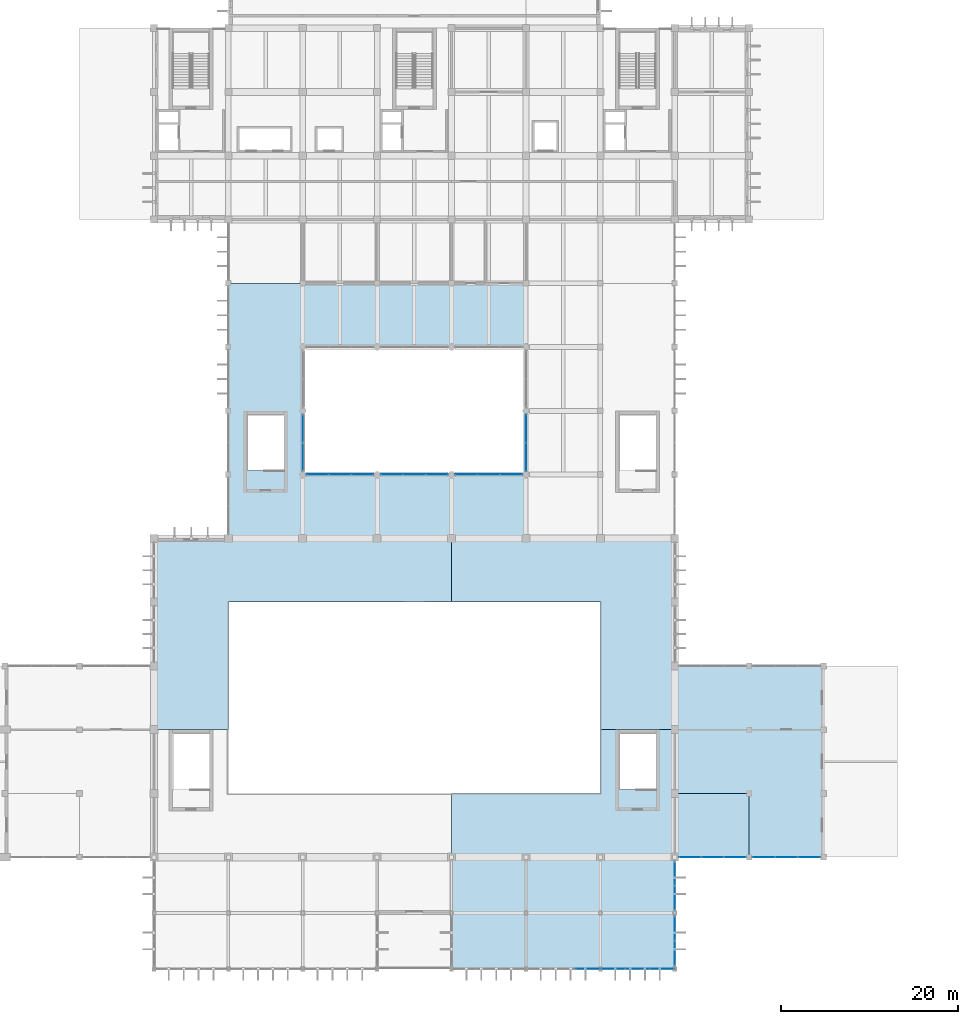
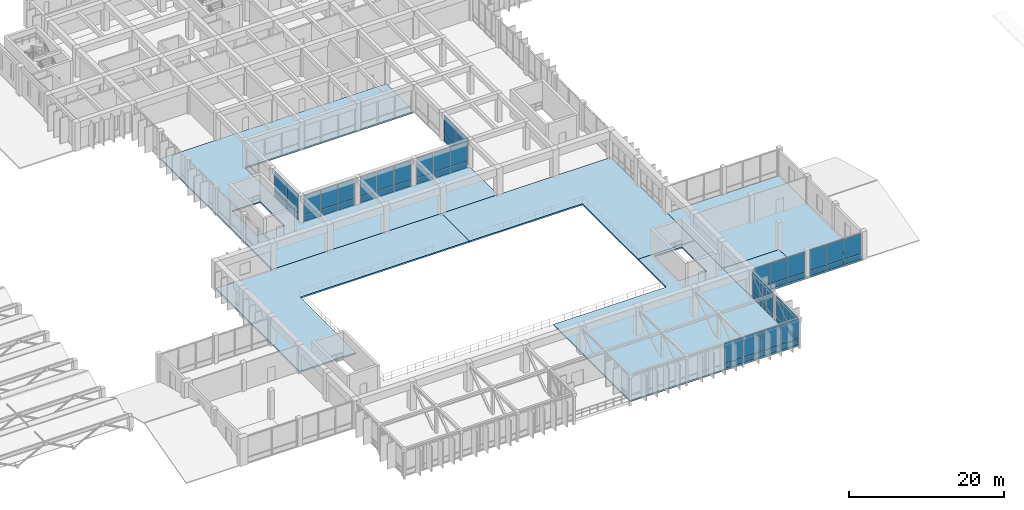
# One storey, part 22 of 40: 54 plates, 6 slabs, 11 elements without a shape of their own.
"""IFC4 building model written with IfcOpenShell, lengths in metres."""

from ifc_helpers import new_model, si_unit, direction, frame, origin, origin_2d, place, context, subcontext, project, spatial, polyline, rectangle, outline, extrude, material, layer, layer_set, type_object, element, aggregate, save


model = new_model("IFC4")

# Units and contexts
model_context = context("Model", 3, precision=1e-05, world=origin(), true_north=direction((0.0, 1.0)))
body_context = subcontext(model_context, "Body", "Model", "MODEL_VIEW")
ifc_project = project(units=[si_unit("LENGTHUNIT", "METRE"), si_unit("AREAUNIT", "SQUARE_METRE"), si_unit("VOLUMEUNIT", "CUBIC_METRE"), si_unit("PLANEANGLEUNIT", "RADIAN"), si_unit("MASSUNIT", "GRAM", prefix="KILO")], contexts=[model_context])

# Site, building, storey
site_placement = place(None, origin())
site = spatial("IfcSite", under=ifc_project, at=site_placement, CompositionType="ELEMENT")
building_placement = place(site_placement, origin())
building = spatial("IfcBuilding", under=site, at=building_placement, Name="Kenerak Square Central Library", CompositionType="ELEMENT")
storey_placement = place(building_placement, frame((0.0, 0.0, 14.39990234375)))
storey = spatial("IfcBuildingStorey", under=building, at=storey_placement, Name="L03", CompositionType="ELEMENT", Elevation=14.39990234375)

# Curtain wall, plates
ifc_material_1 = material(Name="Intumescent fire-resisting glazing EI 60", Category="glass")
curtain_wall_type_1 = type_object("IfcCurtainWallType", Name="Curtain Wall CW-AT60-76x42 7650x4230", PredefinedType="USERDEFINED", material=ifc_material_1)
curtain_wall_1_placement = place(storey_placement, origin())
curtain_wall_1 = element("IfcCurtainWall", 1, at=curtain_wall_1_placement, inside=storey, type_object=curtain_wall_type_1, Name="Atrium Fire-Rated Glazed Screen CW-AT60-76x42 L03 0167", ObjectType="CURTAIN WALL", PredefinedType="USERDEFINED")
ifc_layer_1 = layer(ifc_material_1, 0.0419921875)
ifc_layer_set_1 = layer_set([ifc_layer_1], Name="Intumescent fire-resisting glazing EI 60")
plate_type_1 = type_object("IfcPlateType", Name="Fire-Rated EI60 Atrium Glazing Panel CP-42", PredefinedType="CURTAIN_PANEL", material=ifc_layer_set_1)
plate_1_placement = place(storey_placement, frame((76.867431640625, 60.0, 0.06982421875), z_axis=(0.0, 0.0, 1.0), x_axis=(1.0, 0.0, 0.0)))
plate_1 = element("IfcPlate", 2, at=plate_1_placement, type_object=plate_type_1, Name="CW-AT60-76x42 Panel 1.1", PredefinedType="CURTAIN_PANEL", context=body_context, shape_type="SweptSolid", body=[
    extrude(rectangle(XDim=2.445068359375, YDim=0.0419921875, at=origin_2d()), origin(), (0.0, 0.0, 1.0), 0.945068359375),
])
plate_2_placement = place(storey_placement, frame((76.867431640625, 60.0, 1.0849609375), z_axis=(0.0, 0.0, 1.0), x_axis=(1.0, 0.0, 0.0)))
plate_2 = element("IfcPlate", 3, at=plate_2_placement, type_object=plate_type_1, Name="CW-AT60-76x42 Panel 1.2", PredefinedType="CURTAIN_PANEL", context=body_context, shape_type="SweptSolid", body=[
    extrude(rectangle(XDim=2.445068359375, YDim=0.0419921875, at=origin_2d()), origin(), (0.0, 0.0, 1.0), 3.074951171875),
])
plate_3_placement = place(storey_placement, frame((79.39990234375, 60.0, 0.06982421875), z_axis=(0.0, 0.0, 1.0), x_axis=(1.0, 0.0, 0.0)))
plate_3 = element("IfcPlate", 4, at=plate_3_placement, type_object=plate_type_1, Name="CW-AT60-76x42 Panel 2.1", PredefinedType="CURTAIN_PANEL", context=body_context, shape_type="SweptSolid", body=[
    extrude(rectangle(XDim=2.47998046875, YDim=0.0419921875, at=origin_2d()), origin(), (0.0, 0.0, 1.0), 0.945068359375),
])
plate_4_placement = place(storey_placement, frame((79.39990234375, 60.0, 1.0849609375), z_axis=(0.0, 0.0, 1.0), x_axis=(1.0, 0.0, 0.0)))
plate_4 = element("IfcPlate", 5, at=plate_4_placement, type_object=plate_type_1, Name="CW-AT60-76x42 Panel 2.2", PredefinedType="CURTAIN_PANEL", context=body_context, shape_type="SweptSolid", body=[
    extrude(rectangle(XDim=2.47998046875, YDim=0.0419921875, at=origin_2d()), origin(), (0.0, 0.0, 1.0), 3.074951171875),
])
plate_5_placement = place(storey_placement, frame((81.9326171875, 60.0, 0.06982421875), z_axis=(0.0, 0.0, 1.0), x_axis=(1.0, 0.0, 0.0)))
plate_5 = element("IfcPlate", 6, at=plate_5_placement, type_object=plate_type_1, Name="CW-AT60-76x42 Panel 3.1", PredefinedType="CURTAIN_PANEL", context=body_context, shape_type="SweptSolid", body=[
    extrude(rectangle(XDim=2.445068359375, YDim=0.0419921875, at=origin_2d()), origin(), (0.0, 0.0, 1.0), 0.945068359375),
])
plate_6_placement = place(storey_placement, frame((81.9326171875, 60.0, 1.0849609375), z_axis=(0.0, 0.0, 1.0), x_axis=(1.0, 0.0, 0.0)))
plate_6 = element("IfcPlate", 7, at=plate_6_placement, type_object=plate_type_1, Name="CW-AT60-76x42 Panel 3.2", PredefinedType="CURTAIN_PANEL", context=body_context, shape_type="SweptSolid", body=[
    extrude(rectangle(XDim=2.445068359375, YDim=0.0419921875, at=origin_2d()), origin(), (0.0, 0.0, 1.0), 3.074951171875),
])
aggregate(curtain_wall_1, [plate_1, plate_2, plate_3, plate_4, plate_5, plate_6])

curtain_wall_2_placement = place(storey_placement, origin())
curtain_wall_2 = element("IfcCurtainWall", 8, at=curtain_wall_2_placement, inside=storey, type_object=curtain_wall_type_1, Name="Atrium Fire-Rated Glazed Screen CW-AT60-76x42 L03 0168", ObjectType="CURTAIN WALL", PredefinedType="USERDEFINED")
plate_7_placement = place(storey_placement, frame((85.267578125, 60.0, 0.06982421875), z_axis=(0.0, 0.0, 1.0), x_axis=(1.0, 0.0, 0.0)))
plate_7 = element("IfcPlate", 9, at=plate_7_placement, type_object=plate_type_1, Name="CW-AT60-76x42 Panel 1.1", PredefinedType="CURTAIN_PANEL", context=body_context, shape_type="SweptSolid", body=[
    extrude(rectangle(XDim=2.445068359375, YDim=0.0419921875, at=origin_2d()), origin(), (0.0, 0.0, 1.0), 0.945068359375),
])
plate_8_placement = place(storey_placement, frame((85.267578125, 60.0, 1.0849609375), z_axis=(0.0, 0.0, 1.0), x_axis=(1.0, 0.0, 0.0)))
plate_8 = element("IfcPlate", 10, at=plate_8_placement, type_object=plate_type_1, Name="CW-AT60-76x42 Panel 1.2", PredefinedType="CURTAIN_PANEL", context=body_context, shape_type="SweptSolid", body=[
    extrude(rectangle(XDim=2.445068359375, YDim=0.0419921875, at=origin_2d()), origin(), (0.0, 0.0, 1.0), 3.074951171875),
])
plate_9_placement = place(storey_placement, frame((87.800048828125, 60.0, 0.06982421875), z_axis=(0.0, 0.0, 1.0), x_axis=(1.0, 0.0, 0.0)))
plate_9 = element("IfcPlate", 11, at=plate_9_placement, type_object=plate_type_1, Name="CW-AT60-76x42 Panel 2.1", PredefinedType="CURTAIN_PANEL", context=body_context, shape_type="SweptSolid", body=[
    extrude(rectangle(XDim=2.47998046875, YDim=0.0419921875, at=origin_2d()), origin(), (0.0, 0.0, 1.0), 0.945068359375),
])
plate_10_placement = place(storey_placement, frame((87.800048828125, 60.0, 1.0849609375), z_axis=(0.0, 0.0, 1.0), x_axis=(1.0, 0.0, 0.0)))
plate_10 = element("IfcPlate", 12, at=plate_10_placement, type_object=plate_type_1, Name="CW-AT60-76x42 Panel 2.2", PredefinedType="CURTAIN_PANEL", context=body_context, shape_type="SweptSolid", body=[
    extrude(rectangle(XDim=2.47998046875, YDim=0.0419921875, at=origin_2d()), origin(), (0.0, 0.0, 1.0), 3.074951171875),
])
plate_11_placement = place(storey_placement, frame((90.33251953125, 60.0, 0.06982421875), z_axis=(0.0, 0.0, 1.0), x_axis=(1.0, 0.0, 0.0)))
plate_11 = element("IfcPlate", 13, at=plate_11_placement, type_object=plate_type_1, Name="CW-AT60-76x42 Panel 3.1", PredefinedType="CURTAIN_PANEL", context=body_context, shape_type="SweptSolid", body=[
    extrude(rectangle(XDim=2.445068359375, YDim=0.0419921875, at=origin_2d()), origin(), (0.0, 0.0, 1.0), 0.945068359375),
])
plate_12_placement = place(storey_placement, frame((90.33251953125, 60.0, 1.0849609375), z_axis=(0.0, 0.0, 1.0), x_axis=(1.0, 0.0, 0.0)))
plate_12 = element("IfcPlate", 14, at=plate_12_placement, type_object=plate_type_1, Name="CW-AT60-76x42 Panel 3.2", PredefinedType="CURTAIN_PANEL", context=body_context, shape_type="SweptSolid", body=[
    extrude(rectangle(XDim=2.445068359375, YDim=0.0419921875, at=origin_2d()), origin(), (0.0, 0.0, 1.0), 3.074951171875),
])
aggregate(curtain_wall_2, [plate_7, plate_8, plate_9, plate_10, plate_11, plate_12])

curtain_wall_3_placement = place(storey_placement, origin())
curtain_wall_3 = element("IfcCurtainWall", 15, at=curtain_wall_3_placement, inside=storey, type_object=curtain_wall_type_1, Name="Atrium Fire-Rated Glazed Screen CW-AT60-76x42 L03 0169", ObjectType="CURTAIN WALL", PredefinedType="USERDEFINED")
plate_13_placement = place(storey_placement, frame((93.66748046875, 60.0, 0.06982421875), z_axis=(0.0, 0.0, 1.0), x_axis=(1.0, 0.0, 0.0)))
plate_13 = element("IfcPlate", 16, at=plate_13_placement, type_object=plate_type_1, Name="CW-AT60-76x42 Panel 1.1", PredefinedType="CURTAIN_PANEL", context=body_context, shape_type="SweptSolid", body=[
    extrude(rectangle(XDim=2.445068359375, YDim=0.0419921875, at=origin_2d()), origin(), (0.0, 0.0, 1.0), 0.945068359375),
])
plate_14_placement = place(storey_placement, frame((93.66748046875, 60.0, 1.0849609375), z_axis=(0.0, 0.0, 1.0), x_axis=(1.0, 0.0, 0.0)))
plate_14 = element("IfcPlate", 17, at=plate_14_placement, type_object=plate_type_1, Name="CW-AT60-76x42 Panel 1.2", PredefinedType="CURTAIN_PANEL", context=body_context, shape_type="SweptSolid", body=[
    extrude(rectangle(XDim=2.445068359375, YDim=0.0419921875, at=origin_2d()), origin(), (0.0, 0.0, 1.0), 3.074951171875),
])
plate_15_placement = place(storey_placement, frame((96.199951171875, 60.0, 0.06982421875), z_axis=(0.0, 0.0, 1.0), x_axis=(1.0, 0.0, 0.0)))
plate_15 = element("IfcPlate", 18, at=plate_15_placement, type_object=plate_type_1, Name="CW-AT60-76x42 Panel 2.1", PredefinedType="CURTAIN_PANEL", context=body_context, shape_type="SweptSolid", body=[
    extrude(rectangle(XDim=2.47998046875, YDim=0.0419921875, at=origin_2d()), origin(), (0.0, 0.0, 1.0), 0.945068359375),
])
plate_16_placement = place(storey_placement, frame((96.199951171875, 60.0, 1.0849609375), z_axis=(0.0, 0.0, 1.0), x_axis=(1.0, 0.0, 0.0)))
plate_16 = element("IfcPlate", 19, at=plate_16_placement, type_object=plate_type_1, Name="CW-AT60-76x42 Panel 2.2", PredefinedType="CURTAIN_PANEL", context=body_context, shape_type="SweptSolid", body=[
    extrude(rectangle(XDim=2.47998046875, YDim=0.0419921875, at=origin_2d()), origin(), (0.0, 0.0, 1.0), 3.074951171875),
])
plate_17_placement = place(storey_placement, frame((98.732421875, 60.0, 0.06982421875), z_axis=(0.0, 0.0, 1.0), x_axis=(1.0, 0.0, 0.0)))
plate_17 = element("IfcPlate", 20, at=plate_17_placement, type_object=plate_type_1, Name="CW-AT60-76x42 Panel 3.1", PredefinedType="CURTAIN_PANEL", context=body_context, shape_type="SweptSolid", body=[
    extrude(rectangle(XDim=2.445068359375, YDim=0.0419921875, at=origin_2d()), origin(), (0.0, 0.0, 1.0), 0.945068359375),
])
plate_18_placement = place(storey_placement, frame((98.732421875, 60.0, 1.0849609375), z_axis=(0.0, 0.0, 1.0), x_axis=(1.0, 0.0, 0.0)))
plate_18 = element("IfcPlate", 21, at=plate_18_placement, type_object=plate_type_1, Name="CW-AT60-76x42 Panel 3.2", PredefinedType="CURTAIN_PANEL", context=body_context, shape_type="SweptSolid", body=[
    extrude(rectangle(XDim=2.445068359375, YDim=0.0419921875, at=origin_2d()), origin(), (0.0, 0.0, 1.0), 3.074951171875),
])
aggregate(curtain_wall_3, [plate_13, plate_14, plate_15, plate_16, plate_17, plate_18])

curtain_wall_type_2 = type_object("IfcCurtainWallType", Name="Curtain Wall CW-AT60-64x42 6450x4230", PredefinedType="USERDEFINED", material=ifc_material_1)
curtain_wall_4_placement = place(storey_placement, origin())
curtain_wall_4 = element("IfcCurtainWall", 22, at=curtain_wall_4_placement, inside=storey, type_object=curtain_wall_type_2, Name="Atrium Fire-Rated Glazed Screen CW-AT60-64x42 L03 0170", ObjectType="CURTAIN WALL", PredefinedType="USERDEFINED")
plate_19_placement = place(storey_placement, frame((100.39990234375, 62.0048828125, 0.06982421875), z_axis=(0.0, 0.0, 1.0), x_axis=(0.0, 1.0, 0.0)))
plate_19 = element("IfcPlate", 23, at=plate_19_placement, type_object=plate_type_1, Name="CW-AT60-64x42 Panel 1.1", PredefinedType="CURTAIN_PANEL", context=body_context, shape_type="SweptSolid", body=[
    extrude(rectangle(XDim=3.1201171875, YDim=0.0419921875, at=origin_2d()), origin(), (0.0, 0.0, 1.0), 0.945068359375),
])
plate_20_placement = place(storey_placement, frame((100.39990234375, 62.0048828125, 1.0849609375), z_axis=(0.0, 0.0, 1.0), x_axis=(0.0, 1.0, 0.0)))
plate_20 = element("IfcPlate", 24, at=plate_20_placement, type_object=plate_type_1, Name="CW-AT60-64x42 Panel 1.2", PredefinedType="CURTAIN_PANEL", context=body_context, shape_type="SweptSolid", body=[
    extrude(rectangle(XDim=3.1201171875, YDim=0.0419921875, at=origin_2d()), origin(), (0.0, 0.0, 1.0), 3.074951171875),
])
plate_21_placement = place(storey_placement, frame((100.39990234375, 65.195068359375, 0.06982421875), z_axis=(0.0, 0.0, 1.0), x_axis=(0.0, 1.0, 0.0)))
plate_21 = element("IfcPlate", 25, at=plate_21_placement, type_object=plate_type_1, Name="CW-AT60-64x42 Panel 2.1", PredefinedType="CURTAIN_PANEL", context=body_context, shape_type="SweptSolid", body=[
    extrude(rectangle(XDim=3.1201171875, YDim=0.0419921875, at=origin_2d()), origin(), (0.0, 0.0, 1.0), 0.945068359375),
])
plate_22_placement = place(storey_placement, frame((100.39990234375, 65.195068359375, 1.0849609375), z_axis=(0.0, 0.0, 1.0), x_axis=(0.0, 1.0, 0.0)))
plate_22 = element("IfcPlate", 26, at=plate_22_placement, type_object=plate_type_1, Name="CW-AT60-64x42 Panel 2.2", PredefinedType="CURTAIN_PANEL", context=body_context, shape_type="SweptSolid", body=[
    extrude(rectangle(XDim=3.1201171875, YDim=0.0419921875, at=origin_2d()), origin(), (0.0, 0.0, 1.0), 3.074951171875),
])
aggregate(curtain_wall_4, [plate_19, plate_20, plate_21, plate_22])

curtain_wall_5_placement = place(storey_placement, origin())
curtain_wall_5 = element("IfcCurtainWall", 27, at=curtain_wall_5_placement, inside=storey, type_object=curtain_wall_type_2, Name="Atrium Fire-Rated Glazed Screen CW-AT60-64x42 L03 0176", ObjectType="CURTAIN WALL", PredefinedType="USERDEFINED")
plate_23_placement = place(storey_placement, frame((75.199951171875, 65.195068359375, 0.06982421875), z_axis=(0.0, 0.0, 1.0), x_axis=(0.0, -1.0, 0.0)))
plate_23 = element("IfcPlate", 28, at=plate_23_placement, type_object=plate_type_1, Name="CW-AT60-64x42 Panel 1.1", PredefinedType="CURTAIN_PANEL", context=body_context, shape_type="SweptSolid", body=[
    extrude(rectangle(XDim=3.1201171875, YDim=0.0419921875, at=origin_2d()), origin(), (0.0, 0.0, 1.0), 0.945068359375),
])
plate_24_placement = place(storey_placement, frame((75.199951171875, 65.195068359375, 1.0849609375), z_axis=(0.0, 0.0, 1.0), x_axis=(0.0, -1.0, 0.0)))
plate_24 = element("IfcPlate", 29, at=plate_24_placement, type_object=plate_type_1, Name="CW-AT60-64x42 Panel 1.2", PredefinedType="CURTAIN_PANEL", context=body_context, shape_type="SweptSolid", body=[
    extrude(rectangle(XDim=3.1201171875, YDim=0.0419921875, at=origin_2d()), origin(), (0.0, 0.0, 1.0), 3.074951171875),
])
plate_25_placement = place(storey_placement, frame((75.199951171875, 62.0048828125, 0.06982421875), z_axis=(0.0, 0.0, 1.0), x_axis=(0.0, -1.0, 0.0)))
plate_25 = element("IfcPlate", 30, at=plate_25_placement, type_object=plate_type_1, Name="CW-AT60-64x42 Panel 2.1", PredefinedType="CURTAIN_PANEL", context=body_context, shape_type="SweptSolid", body=[
    extrude(rectangle(XDim=3.1201171875, YDim=0.0419921875, at=origin_2d()), origin(), (0.0, 0.0, 1.0), 0.945068359375),
])
plate_26_placement = place(storey_placement, frame((75.199951171875, 62.0048828125, 1.0849609375), z_axis=(0.0, 0.0, 1.0), x_axis=(0.0, -1.0, 0.0)))
plate_26 = element("IfcPlate", 31, at=plate_26_placement, type_object=plate_type_1, Name="CW-AT60-64x42 Panel 2.2", PredefinedType="CURTAIN_PANEL", context=body_context, shape_type="SweptSolid", body=[
    extrude(rectangle(XDim=3.1201171875, YDim=0.0419921875, at=origin_2d()), origin(), (0.0, 0.0, 1.0), 3.074951171875),
])
aggregate(curtain_wall_5, [plate_23, plate_24, plate_25, plate_26])

# Slabs
ifc_material_2 = material(Name="Concrete C40/50", Category="concrete")
ifc_layer_2 = layer(ifc_material_2, 0.22509765625)
ifc_layer_set_2 = layer_set([ifc_layer_2], Name="Concrete C40/50")
slab_type = type_object("IfcSlabType", Name="General Reading Room Slab FS-225 C40/50", PredefinedType="FLOOR", material=ifc_layer_set_2)
slab_1_placement = place(storey_placement, frame((0.0, 0.0, -0.224853515625)))
element("IfcSlab", 32, at=slab_1_placement, inside=storey, type_object=slab_type, Name="V1 Floor Slab L03 020", PredefinedType="FLOOR", context=body_context, shape_type="SweptSolid", body=[
    extrude(outline(polyline([(58.39990234375, 52.800048828125), (92.0, 52.800048828125), (92.0, 45.60009765625), (66.800048828125, 45.60009765625), (66.800048828125, 31.199951171875), (58.39990234375, 31.199951171875), (58.39990234375, 52.800048828125)])), origin(), (0.0, 0.0, 1.0), 0.224853515625),
])
slab_2_placement = place(storey_placement, frame((0.0, 0.0, -0.224853515625)))
element("IfcSlab", 33, at=slab_2_placement, inside=storey, type_object=slab_type, Name="V1 Floor Slab L03 021", PredefinedType="FLOOR", context=body_context, shape_type="SweptSolid", body=[
    extrude(outline(polyline([(117.199951171875, 4.199951171875), (92.0, 4.199951171875), (92.0, 10.5), (92.0, 24.0), (108.800048828125, 24.0), (108.800048828125, 31.199951171875), (117.199951171875, 31.199951171875), (117.199951171875, 4.199951171875)]), holes=[polyline([(115.080078125, 24.449951171875), (115.080078125, 30.800048828125), (110.919921875, 30.800048828125), (110.919921875, 24.449951171875), (115.080078125, 24.449951171875)])]), origin(), (0.0, 0.0, 1.0), 0.224853515625),
])
slab_3_placement = place(storey_placement, frame((0.0, 0.0, -0.224853515625)))
element("IfcSlab", 34, at=slab_3_placement, inside=storey, type_object=slab_type, Name="V1 Floor Slab L03 022", PredefinedType="FLOOR", context=body_context, shape_type="SweptSolid", body=[
    extrude(outline(polyline([(117.199951171875, 52.800048828125), (117.199951171875, 31.199951171875), (108.800048828125, 31.199951171875), (108.800048828125, 45.60009765625), (92.0, 45.60009765625), (92.0, 52.800048828125), (117.199951171875, 52.800048828125)])), origin(), (0.0, 0.0, 1.0), 0.224853515625),
])
slab_4_placement = place(storey_placement, frame((0.0, 0.0, -0.224853515625)))
element("IfcSlab", 35, at=slab_4_placement, inside=storey, type_object=slab_type, Name="V4 Floor Slab L03 048", PredefinedType="FLOOR", context=body_context, shape_type="SweptSolid", body=[
    extrude(outline(polyline([(100.39990234375, 52.800048828125), (66.800048828125, 52.800048828125), (66.800048828125, 81.60009765625), (100.39990234375, 81.60009765625), (100.39990234375, 74.39990234375), (75.199951171875, 74.39990234375), (75.199951171875, 60.0), (100.39990234375, 60.0), (100.39990234375, 52.800048828125)]), holes=[polyline([(73.080078125, 60.449951171875), (73.080078125, 66.800048828125), (68.919921875, 66.800048828125), (68.919921875, 60.449951171875), (73.080078125, 60.449951171875)])]), origin(), (0.0, 0.0, 1.0), 0.224853515625),
])
slab_5_placement = place(storey_placement, frame((0.0, 0.0, -0.224853515625)))
element("IfcSlab", 36, at=slab_5_placement, inside=storey, type_object=slab_type, Name="V6 Floor Slab L03 111", PredefinedType="FLOOR", context=body_context, shape_type="SweptSolid", body=[
    extrude(outline(polyline([(117.199951171875, 38.39990234375), (134.0, 38.39990234375), (134.0, 16.800048828125), (125.60009765625, 16.800048828125), (125.60009765625, 24.0), (117.199951171875, 24.0), (117.199951171875, 38.39990234375)])), origin(), (0.0, 0.0, 1.0), 0.224853515625),
])
slab_6_placement = place(storey_placement, frame((0.0, 0.0, -0.224853515625)))
element("IfcSlab", 37, at=slab_6_placement, inside=storey, type_object=slab_type, Name="V6 Floor Slab L03 112", PredefinedType="FLOOR", context=body_context, shape_type="SweptSolid", body=[
    extrude(outline(polyline([(125.60009765625, 16.800048828125), (125.60009765625, 24.0), (117.199951171875, 24.0), (117.199951171875, 16.800048828125), (125.60009765625, 16.800048828125)])), origin(), (0.0, 0.0, 1.0), 0.224853515625),
])

# Curtain wall, plates
ifc_material_3 = material(Name="Anodised aluminium and solar-control low-E glazing", Category="aluminium")
curtain_wall_type_3 = type_object("IfcCurtainWallType", Name="Curtain Wall CW-V6-77x42 7750x4230", PredefinedType="USERDEFINED", material=ifc_material_3)
curtain_wall_6_placement = place(storey_placement, origin())
curtain_wall_6 = element("IfcCurtainWall", 38, at=curtain_wall_6_placement, inside=storey, type_object=curtain_wall_type_3, Name="Curtain Wall CW-V6-77x42 L03 0125", ObjectType="CURTAIN WALL", PredefinedType="USERDEFINED")
ifc_material_4 = material(Name="Solar-control low-E laminated double glazing", Category="glass")
ifc_layer_3 = layer(ifc_material_4, 0.02392578125)
ifc_layer_set_3 = layer_set([ifc_layer_3], Name="Solar-control low-E laminated double glazing")
plate_type_2 = type_object("IfcPlateType", Name="Low-E Double Glazed Curtain Panel CP-24", PredefinedType="CURTAIN_PANEL", material=ifc_layer_set_3)
plate_27_placement = place(storey_placement, frame((132.3671875, 16.800048828125, 0.06494140625), z_axis=(0.0, 0.0, 1.0), x_axis=(-1.0, 0.0, 0.0)))
plate_27 = element("IfcPlate", 39, at=plate_27_placement, type_object=plate_type_2, Name="CW-V6-77x42 Panel 1.1", PredefinedType="CURTAIN_PANEL", context=body_context, shape_type="SweptSolid", body=[
    extrude(rectangle(XDim=2.48583984375, YDim=0.02392578125, at=origin_2d()), origin(), (0.0, 0.0, 1.0), 0.802490234375),
])
plate_28_placement = place(storey_placement, frame((132.3671875, 16.800048828125, 0.9326171875), z_axis=(0.0, 0.0, 1.0), x_axis=(-1.0, 0.0, 0.0)))
plate_28 = element("IfcPlate", 40, at=plate_28_placement, type_object=plate_type_2, Name="CW-V6-77x42 Panel 1.2", PredefinedType="CURTAIN_PANEL", context=body_context, shape_type="SweptSolid", body=[
    extrude(rectangle(XDim=2.48583984375, YDim=0.02392578125, at=origin_2d()), origin(), (0.0, 0.0, 1.0), 3.232421875),
])
plate_29_placement = place(storey_placement, frame((129.800048828125, 16.800048828125, 0.06494140625), z_axis=(0.0, 0.0, 1.0), x_axis=(-1.0, 0.0, 0.0)))
plate_29 = element("IfcPlate", 41, at=plate_29_placement, type_object=plate_type_2, Name="CW-V6-77x42 Panel 2.1", PredefinedType="CURTAIN_PANEL", context=body_context, shape_type="SweptSolid", body=[
    extrude(rectangle(XDim=2.518310546875, YDim=0.02392578125, at=origin_2d()), origin(), (0.0, 0.0, 1.0), 0.802490234375),
])
plate_30_placement = place(storey_placement, frame((129.800048828125, 16.800048828125, 0.9326171875), z_axis=(0.0, 0.0, 1.0), x_axis=(-1.0, 0.0, 0.0)))
plate_30 = element("IfcPlate", 42, at=plate_30_placement, type_object=plate_type_2, Name="CW-V6-77x42 Panel 2.2", PredefinedType="CURTAIN_PANEL", context=body_context, shape_type="SweptSolid", body=[
    extrude(rectangle(XDim=2.518310546875, YDim=0.02392578125, at=origin_2d()), origin(), (0.0, 0.0, 1.0), 3.232421875),
])
plate_31_placement = place(storey_placement, frame((127.23291015625, 16.800048828125, 0.06494140625), z_axis=(0.0, 0.0, 1.0), x_axis=(-1.0, 0.0, 0.0)))
plate_31 = element("IfcPlate", 43, at=plate_31_placement, type_object=plate_type_2, Name="CW-V6-77x42 Panel 3.1", PredefinedType="CURTAIN_PANEL", context=body_context, shape_type="SweptSolid", body=[
    extrude(rectangle(XDim=2.48583984375, YDim=0.02392578125, at=origin_2d()), origin(), (0.0, 0.0, 1.0), 0.802490234375),
])
plate_32_placement = place(storey_placement, frame((127.23291015625, 16.800048828125, 0.9326171875), z_axis=(0.0, 0.0, 1.0), x_axis=(-1.0, 0.0, 0.0)))
plate_32 = element("IfcPlate", 44, at=plate_32_placement, type_object=plate_type_2, Name="CW-V6-77x42 Panel 3.2", PredefinedType="CURTAIN_PANEL", context=body_context, shape_type="SweptSolid", body=[
    extrude(rectangle(XDim=2.48583984375, YDim=0.02392578125, at=origin_2d()), origin(), (0.0, 0.0, 1.0), 3.232421875),
])
aggregate(curtain_wall_6, [plate_27, plate_28, plate_29, plate_30, plate_31, plate_32])

curtain_wall_type_4 = type_object("IfcCurtainWallType", Name="Curtain Wall CW-V6-76x42 7625x4230", PredefinedType="USERDEFINED", material=ifc_material_3)
curtain_wall_7_placement = place(storey_placement, origin())
curtain_wall_7 = element("IfcCurtainWall", 45, at=curtain_wall_7_placement, inside=storey, type_object=curtain_wall_type_4, Name="Curtain Wall CW-V6-76x42 L03 0126", ObjectType="CURTAIN WALL", PredefinedType="USERDEFINED")
plate_33_placement = place(storey_placement, frame((123.988037109375, 16.800048828125, 0.06494140625), z_axis=(0.0, 0.0, 1.0), x_axis=(-1.0, 0.0, 0.0)))
plate_33 = element("IfcPlate", 46, at=plate_33_placement, type_object=plate_type_2, Name="CW-V6-76x42 Panel 1.1", PredefinedType="CURTAIN_PANEL", context=body_context, shape_type="SweptSolid", body=[
    extrude(rectangle(XDim=2.444091796875, YDim=0.02392578125, at=origin_2d()), origin(), (0.0, 0.0, 1.0), 0.802490234375),
])
plate_34_placement = place(storey_placement, frame((123.988037109375, 16.800048828125, 0.9326171875), z_axis=(0.0, 0.0, 1.0), x_axis=(-1.0, 0.0, 0.0)))
plate_34 = element("IfcPlate", 47, at=plate_34_placement, type_object=plate_type_2, Name="CW-V6-76x42 Panel 1.2", PredefinedType="CURTAIN_PANEL", context=body_context, shape_type="SweptSolid", body=[
    extrude(rectangle(XDim=2.444091796875, YDim=0.02392578125, at=origin_2d()), origin(), (0.0, 0.0, 1.0), 3.232421875),
])
plate_35_placement = place(storey_placement, frame((121.46240234375, 16.800048828125, 0.06494140625), z_axis=(0.0, 0.0, 1.0), x_axis=(-1.0, 0.0, 0.0)))
plate_35 = element("IfcPlate", 48, at=plate_35_placement, type_object=plate_type_2, Name="CW-V6-76x42 Panel 2.1", PredefinedType="CURTAIN_PANEL", context=body_context, shape_type="SweptSolid", body=[
    extrude(rectangle(XDim=2.4765625, YDim=0.02392578125, at=origin_2d()), origin(), (0.0, 0.0, 1.0), 0.802490234375),
])
plate_36_placement = place(storey_placement, frame((121.46240234375, 16.800048828125, 0.9326171875), z_axis=(0.0, 0.0, 1.0), x_axis=(-1.0, 0.0, 0.0)))
plate_36 = element("IfcPlate", 49, at=plate_36_placement, type_object=plate_type_2, Name="CW-V6-76x42 Panel 2.2", PredefinedType="CURTAIN_PANEL", context=body_context, shape_type="SweptSolid", body=[
    extrude(rectangle(XDim=2.4765625, YDim=0.02392578125, at=origin_2d()), origin(), (0.0, 0.0, 1.0), 3.232421875),
])
plate_37_placement = place(storey_placement, frame((118.93701171875, 16.800048828125, 0.06494140625), z_axis=(0.0, 0.0, 1.0), x_axis=(-1.0, 0.0, 0.0)))
plate_37 = element("IfcPlate", 50, at=plate_37_placement, type_object=plate_type_2, Name="CW-V6-76x42 Panel 3.1", PredefinedType="CURTAIN_PANEL", context=body_context, shape_type="SweptSolid", body=[
    extrude(rectangle(XDim=2.444091796875, YDim=0.02392578125, at=origin_2d()), origin(), (0.0, 0.0, 1.0), 0.802490234375),
])
plate_38_placement = place(storey_placement, frame((118.93701171875, 16.800048828125, 0.9326171875), z_axis=(0.0, 0.0, 1.0), x_axis=(-1.0, 0.0, 0.0)))
plate_38 = element("IfcPlate", 51, at=plate_38_placement, type_object=plate_type_2, Name="CW-V6-76x42 Panel 3.2", PredefinedType="CURTAIN_PANEL", context=body_context, shape_type="SweptSolid", body=[
    extrude(rectangle(XDim=2.444091796875, YDim=0.02392578125, at=origin_2d()), origin(), (0.0, 0.0, 1.0), 3.232421875),
])
aggregate(curtain_wall_7, [plate_33, plate_34, plate_35, plate_36, plate_37, plate_38])

curtain_wall_type_5 = type_object("IfcCurtainWallType", Name="Curtain Wall CW-V1-55x42 5550x4230", PredefinedType="USERDEFINED", material=ifc_material_3)
curtain_wall_8_placement = place(storey_placement, origin())
curtain_wall_8 = element("IfcCurtainWall", 52, at=curtain_wall_8_placement, inside=storey, type_object=curtain_wall_type_5, Name="Curtain Wall CW-V1-55x42 L03 0127", ObjectType="CURTAIN WALL", PredefinedType="USERDEFINED")
ifc_material_5 = material(Name="Triple-laminated solar-control low-E glazing", Category="glass")
ifc_layer_4 = layer(ifc_material_5, 0.031982421875)
ifc_layer_set_4 = layer_set([ifc_layer_4], Name="Triple-laminated solar-control low-E glazing")
plate_type_3 = type_object("IfcPlateType", Name="Triple-Laminated Reading Hall Panel CP-32", PredefinedType="CURTAIN_PANEL", material=ifc_layer_set_4)
plate_39_placement = place(storey_placement, frame((117.199951171875, 14.94384765625, 0.074951171875), z_axis=(0.0, 0.0, 1.0), x_axis=(0.0, -1.0, 0.0)))
plate_39 = element("IfcPlate", 53, at=plate_39_placement, type_object=plate_type_3, Name="CW-V1-55x42 Panel 1.1", PredefinedType="CURTAIN_PANEL", context=body_context, shape_type="SweptSolid", body=[
    extrude(rectangle(XDim=2.66259765625, YDim=0.031982421875, at=origin_2d()), origin(), (0.0, 0.0, 1.0), 0.78759765625),
])
plate_40_placement = place(storey_placement, frame((117.199951171875, 14.94384765625, 0.9375), z_axis=(0.0, 0.0, 1.0), x_axis=(0.0, -1.0, 0.0)))
plate_40 = element("IfcPlate", 54, at=plate_40_placement, type_object=plate_type_3, Name="CW-V1-55x42 Panel 1.2", PredefinedType="CURTAIN_PANEL", context=body_context, shape_type="SweptSolid", body=[
    extrude(rectangle(XDim=2.66259765625, YDim=0.031982421875, at=origin_2d()), origin(), (0.0, 0.0, 1.0), 3.217529296875),
])
plate_41_placement = place(storey_placement, frame((117.199951171875, 12.206298828125, 0.074951171875), z_axis=(0.0, 0.0, 1.0), x_axis=(0.0, -1.0, 0.0)))
plate_41 = element("IfcPlate", 55, at=plate_41_placement, type_object=plate_type_3, Name="CW-V1-55x42 Panel 2.1", PredefinedType="CURTAIN_PANEL", context=body_context, shape_type="SweptSolid", body=[
    extrude(rectangle(XDim=2.66259765625, YDim=0.031982421875, at=origin_2d()), origin(), (0.0, 0.0, 1.0), 0.78759765625),
])
plate_42_placement = place(storey_placement, frame((117.199951171875, 12.206298828125, 0.9375), z_axis=(0.0, 0.0, 1.0), x_axis=(0.0, -1.0, 0.0)))
plate_42 = element("IfcPlate", 56, at=plate_42_placement, type_object=plate_type_3, Name="CW-V1-55x42 Panel 2.2", PredefinedType="CURTAIN_PANEL", context=body_context, shape_type="SweptSolid", body=[
    extrude(rectangle(XDim=2.66259765625, YDim=0.031982421875, at=origin_2d()), origin(), (0.0, 0.0, 1.0), 3.217529296875),
])
aggregate(curtain_wall_8, [plate_39, plate_40, plate_41, plate_42])

curtain_wall_type_6 = type_object("IfcCurtainWallType", Name="Curtain Wall CW-V1-57x42 5700x4230", PredefinedType="USERDEFINED", material=ifc_material_3)
curtain_wall_9_placement = place(storey_placement, origin())
curtain_wall_9 = element("IfcCurtainWall", 57, at=curtain_wall_9_placement, inside=storey, type_object=curtain_wall_type_6, Name="Curtain Wall CW-V1-57x42 L03 0128", ObjectType="CURTAIN WALL", PredefinedType="USERDEFINED")
plate_43_placement = place(storey_placement, frame((117.199951171875, 8.75634765625, 0.074951171875), z_axis=(0.0, 0.0, 1.0), x_axis=(0.0, -1.0, 0.0)))
plate_43 = element("IfcPlate", 58, at=plate_43_placement, type_object=plate_type_3, Name="CW-V1-57x42 Panel 1.1", PredefinedType="CURTAIN_PANEL", context=body_context, shape_type="SweptSolid", body=[
    extrude(rectangle(XDim=2.737548828125, YDim=0.031982421875, at=origin_2d()), origin(), (0.0, 0.0, 1.0), 0.78759765625),
])
plate_44_placement = place(storey_placement, frame((117.199951171875, 8.75634765625, 0.9375), z_axis=(0.0, 0.0, 1.0), x_axis=(0.0, -1.0, 0.0)))
plate_44 = element("IfcPlate", 59, at=plate_44_placement, type_object=plate_type_3, Name="CW-V1-57x42 Panel 1.2", PredefinedType="CURTAIN_PANEL", context=body_context, shape_type="SweptSolid", body=[
    extrude(rectangle(XDim=2.737548828125, YDim=0.031982421875, at=origin_2d()), origin(), (0.0, 0.0, 1.0), 3.217529296875),
])
plate_45_placement = place(storey_placement, frame((117.199951171875, 5.94384765625, 0.074951171875), z_axis=(0.0, 0.0, 1.0), x_axis=(0.0, -1.0, 0.0)))
plate_45 = element("IfcPlate", 60, at=plate_45_placement, type_object=plate_type_3, Name="CW-V1-57x42 Panel 2.1", PredefinedType="CURTAIN_PANEL", context=body_context, shape_type="SweptSolid", body=[
    extrude(rectangle(XDim=2.737548828125, YDim=0.031982421875, at=origin_2d()), origin(), (0.0, 0.0, 1.0), 0.78759765625),
])
plate_46_placement = place(storey_placement, frame((117.199951171875, 5.94384765625, 0.9375), z_axis=(0.0, 0.0, 1.0), x_axis=(0.0, -1.0, 0.0)))
plate_46 = element("IfcPlate", 61, at=plate_46_placement, type_object=plate_type_3, Name="CW-V1-57x42 Panel 2.2", PredefinedType="CURTAIN_PANEL", context=body_context, shape_type="SweptSolid", body=[
    extrude(rectangle(XDim=2.737548828125, YDim=0.031982421875, at=origin_2d()), origin(), (0.0, 0.0, 1.0), 3.217529296875),
])
aggregate(curtain_wall_9, [plate_43, plate_44, plate_45, plate_46])

curtain_wall_type_7 = type_object("IfcCurtainWallType", Name="Curtain Wall CW-V1-84x42 8400x4230", PredefinedType="USERDEFINED", material=ifc_material_3)
curtain_wall_10_placement = place(storey_placement, origin())
curtain_wall_10 = element("IfcCurtainWall", 62, at=curtain_wall_10_placement, inside=storey, type_object=curtain_wall_type_7, Name="Curtain Wall CW-V1-84x42 L03 0129", ObjectType="CURTAIN WALL", PredefinedType="USERDEFINED")
plate_47_placement = place(storey_placement, frame((115.78125, 4.199951171875, 0.074951171875), z_axis=(0.0, 0.0, 1.0), x_axis=(-1.0, 0.0, 0.0)))
plate_47 = element("IfcPlate", 63, at=plate_47_placement, type_object=plate_type_3, Name="CW-V1-84x42 Panel 1.1", PredefinedType="CURTAIN_PANEL", context=body_context, shape_type="SweptSolid", body=[
    extrude(rectangle(XDim=2.6875, YDim=0.031982421875, at=origin_2d()), origin(), (0.0, 0.0, 1.0), 0.78759765625),
])
plate_48_placement = place(storey_placement, frame((115.78125, 4.199951171875, 0.9375), z_axis=(0.0, 0.0, 1.0), x_axis=(-1.0, 0.0, 0.0)))
plate_48 = element("IfcPlate", 64, at=plate_48_placement, type_object=plate_type_3, Name="CW-V1-84x42 Panel 1.2", PredefinedType="CURTAIN_PANEL", context=body_context, shape_type="SweptSolid", body=[
    extrude(rectangle(XDim=2.6875, YDim=0.031982421875, at=origin_2d()), origin(), (0.0, 0.0, 1.0), 3.217529296875),
])
plate_49_placement = place(storey_placement, frame((113.0, 4.199951171875, 0.074951171875), z_axis=(0.0, 0.0, 1.0), x_axis=(-1.0, 0.0, 0.0)))
plate_49 = element("IfcPlate", 65, at=plate_49_placement, type_object=plate_type_3, Name="CW-V1-84x42 Panel 2.1", PredefinedType="CURTAIN_PANEL", context=body_context, shape_type="SweptSolid", body=[
    extrude(rectangle(XDim=2.72509765625, YDim=0.031982421875, at=origin_2d()), origin(), (0.0, 0.0, 1.0), 0.78759765625),
])
plate_50_placement = place(storey_placement, frame((113.0, 4.199951171875, 0.9375), z_axis=(0.0, 0.0, 1.0), x_axis=(-1.0, 0.0, 0.0)))
plate_50 = element("IfcPlate", 66, at=plate_50_placement, type_object=plate_type_3, Name="CW-V1-84x42 Panel 2.2", PredefinedType="CURTAIN_PANEL", context=body_context, shape_type="SweptSolid", body=[
    extrude(rectangle(XDim=2.72509765625, YDim=0.031982421875, at=origin_2d()), origin(), (0.0, 0.0, 1.0), 3.217529296875),
])
plate_51_placement = place(storey_placement, frame((110.21875, 4.199951171875, 0.074951171875), z_axis=(0.0, 0.0, 1.0), x_axis=(-1.0, 0.0, 0.0)))
plate_51 = element("IfcPlate", 67, at=plate_51_placement, type_object=plate_type_3, Name="CW-V1-84x42 Panel 3.1", PredefinedType="CURTAIN_PANEL", context=body_context, shape_type="SweptSolid", body=[
    extrude(rectangle(XDim=2.6875, YDim=0.031982421875, at=origin_2d()), origin(), (0.0, 0.0, 1.0), 0.78759765625),
])
plate_52_placement = place(storey_placement, frame((110.21875, 4.199951171875, 0.9375), z_axis=(0.0, 0.0, 1.0), x_axis=(-1.0, 0.0, 0.0)))
plate_52 = element("IfcPlate", 68, at=plate_52_placement, type_object=plate_type_3, Name="CW-V1-84x42 Panel 3.2", PredefinedType="CURTAIN_PANEL", context=body_context, shape_type="SweptSolid", body=[
    extrude(rectangle(XDim=2.6875, YDim=0.031982421875, at=origin_2d()), origin(), (0.0, 0.0, 1.0), 3.217529296875),
])
aggregate(curtain_wall_10, [plate_47, plate_48, plate_49, plate_50, plate_51, plate_52])

curtain_wall_11_placement = place(storey_placement, origin())
curtain_wall_11 = element("IfcCurtainWall", 69, at=curtain_wall_11_placement, inside=storey, type_object=curtain_wall_type_7, Name="Curtain Wall CW-V1-84x42 L03 0130", ObjectType="CURTAIN WALL", PredefinedType="USERDEFINED")
plate_53_placement = place(storey_placement, frame((107.38134765625, 4.199951171875, 0.074951171875), z_axis=(0.0, 0.0, 1.0), x_axis=(-1.0, 0.0, 0.0)))
plate_53 = element("IfcPlate", 70, at=plate_53_placement, type_object=plate_type_3, Name="CW-V1-84x42 Panel 1.1", PredefinedType="CURTAIN_PANEL", context=body_context, shape_type="SweptSolid", body=[
    extrude(rectangle(XDim=2.6875, YDim=0.031982421875, at=origin_2d()), origin(), (0.0, 0.0, 1.0), 0.78759765625),
])
plate_54_placement = place(storey_placement, frame((107.38134765625, 4.199951171875, 0.9375), z_axis=(0.0, 0.0, 1.0), x_axis=(-1.0, 0.0, 0.0)))
plate_54 = element("IfcPlate", 71, at=plate_54_placement, type_object=plate_type_3, Name="CW-V1-84x42 Panel 1.2", PredefinedType="CURTAIN_PANEL", context=body_context, shape_type="SweptSolid", body=[
    extrude(rectangle(XDim=2.6875, YDim=0.031982421875, at=origin_2d()), origin(), (0.0, 0.0, 1.0), 3.217529296875),
])
aggregate(curtain_wall_11, [plate_53, plate_54])

save(model, "model.ifc")
